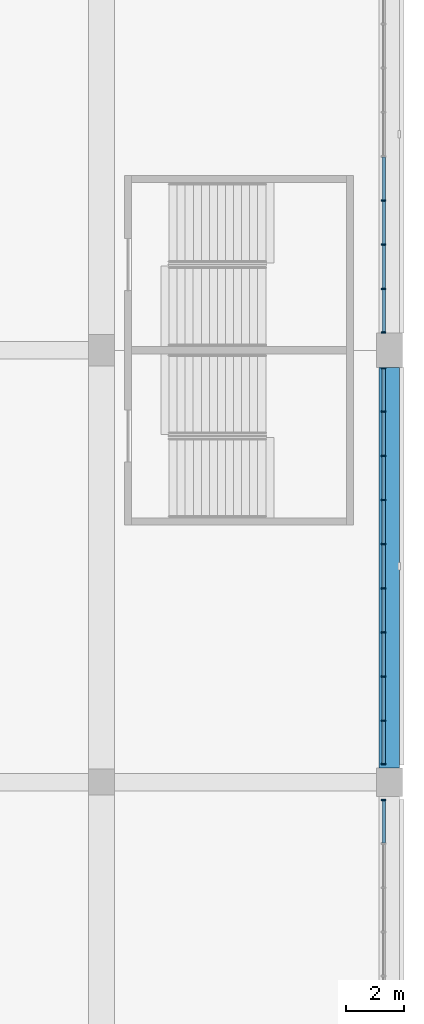
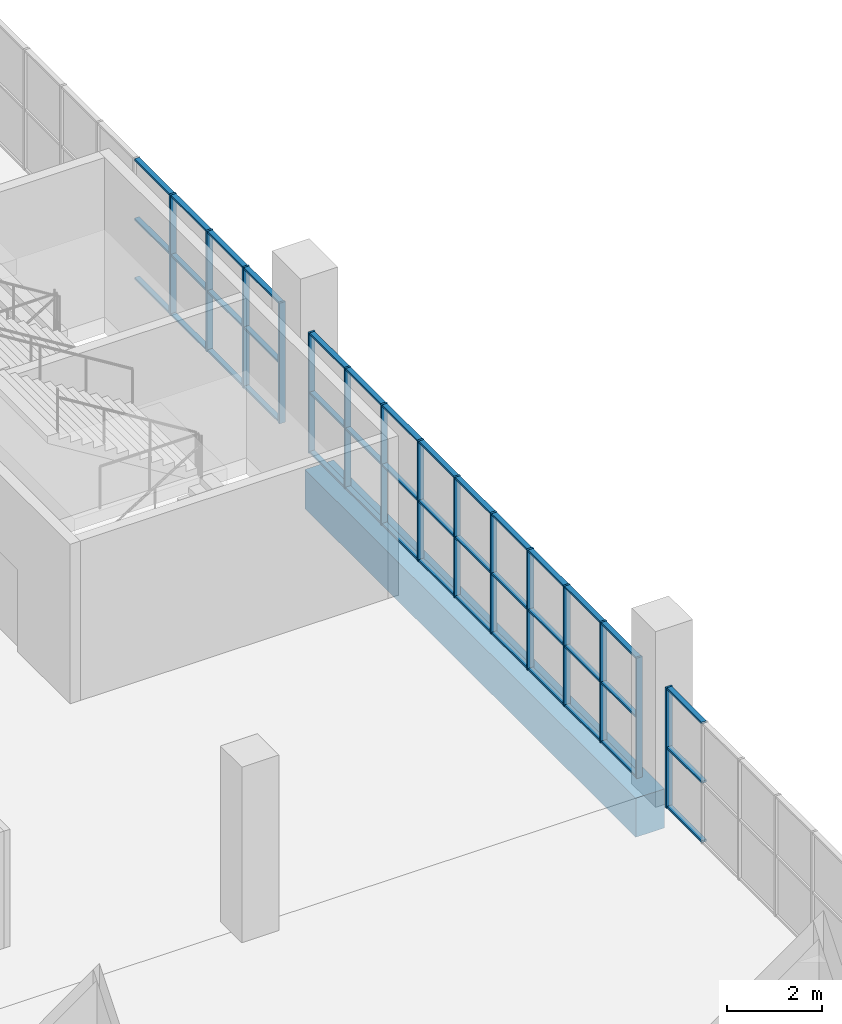
# One storey, part 29 of 199: 57 members, 1 beam, 3 elements without a shape of their own.
"""IFC4 building model written with IfcOpenShell, lengths in metres."""

from ifc_helpers import new_model, si_unit, direction, frame, origin, origin_2d, place, context, subcontext, project, spatial, rectangle, extrude, material, material_profile, profile_set, type_object, element, aggregate, save


model = new_model("IFC4")

# Units and contexts
model_context = context("Model", 3, precision=1e-05, world=origin(), true_north=direction((0.0, 1.0)))
body_context = subcontext(model_context, "Body", "Model", "MODEL_VIEW")
ifc_project = project(units=[si_unit("LENGTHUNIT", "METRE"), si_unit("AREAUNIT", "SQUARE_METRE"), si_unit("VOLUMEUNIT", "CUBIC_METRE"), si_unit("PLANEANGLEUNIT", "RADIAN"), si_unit("MASSUNIT", "GRAM", prefix="KILO")], contexts=[model_context])

# Site, building, storey
site_placement = place(None, origin())
site = spatial("IfcSite", under=ifc_project, at=site_placement, CompositionType="ELEMENT")
building_placement = place(site_placement, origin())
building = spatial("IfcBuilding", under=site, at=building_placement, Name="Ogive Plaza Stadium", CompositionType="ELEMENT")
storey_placement = place(building_placement, frame((0.0, 0.0, 9.0)))
storey = spatial("IfcBuildingStorey", under=building, at=storey_placement, Name="L02", CompositionType="ELEMENT", Elevation=9.0)

# Curtain wall, members
ifc_material_1 = material(Name="Bronze-anodised aluminium with laminated glass", Category="aluminium")
curtain_wall_type = type_object("IfcCurtainWallType", Name="Lancet curtain wall", PredefinedType="NOTDEFINED", material=ifc_material_1)
curtain_wall_1_placement = place(storey_placement, origin())
curtain_wall_1 = element("IfcCurtainWall", 1, at=curtain_wall_1_placement, inside=storey, type_object=curtain_wall_type, Name="CURTAIN WALL B05 L02", PredefinedType="NOTDEFINED")
ifc_material_2 = material(Name="Bronze-anodised aluminium", Category="aluminium")
ifc_material_profile_1 = material_profile(ifc_material_2, rectangle(XDim=0.14990234375, YDim=0.050048828125, at=origin_2d()), Name="AL 150x50")
ifc_profile_set_1 = profile_set([ifc_material_profile_1], Name="Bronze-anodised aluminium")
member_type_1 = type_object("IfcMemberType", Name="Curtain wall mullion 50x150", PredefinedType="MULLION", material=ifc_profile_set_1)
member_1_placement = place(storey_placement, frame((83.800048828125, -17.300048828125, 0.0), z_axis=(0.0, 0.0, 1.0), x_axis=(1.0, 0.0, 0.0)))
member_1 = element("IfcMember", 2, at=member_1_placement, type_object=member_type_1, Name="CW-B05-L02 mullion 7", PredefinedType="MULLION", context=body_context, shape_type="SweptSolid", body=[
    extrude(rectangle(XDim=0.14990234375, YDim=0.050048828125, at=origin_2d()), origin(), (0.0, 0.0, 1.0), 3.090087890625),
])
member_2_placement = place(storey_placement, frame((83.800048828125, -18.833251953125, 0.0), z_axis=(0.0, 0.0, 1.0), x_axis=(1.0, 0.0, 0.0)))
member_2 = element("IfcMember", 3, at=member_2_placement, type_object=member_type_1, Name="CW-B05-L02 mullion 8", PredefinedType="MULLION", context=body_context, shape_type="SweptSolid", body=[
    extrude(rectangle(XDim=0.14990234375, YDim=0.050048828125, at=origin_2d()), origin(), (0.0, 0.0, 1.0), 3.090087890625),
])
member_3_placement = place(storey_placement, frame((83.800048828125, -20.36669921875, 0.0), z_axis=(0.0, 0.0, 1.0), x_axis=(1.0, 0.0, 0.0)))
member_3 = element("IfcMember", 4, at=member_3_placement, type_object=member_type_1, Name="CW-B05-L02 mullion 9", PredefinedType="MULLION", context=body_context, shape_type="SweptSolid", body=[
    extrude(rectangle(XDim=0.14990234375, YDim=0.050048828125, at=origin_2d()), origin(), (0.0, 0.0, 1.0), 3.090087890625),
])
member_4_placement = place(storey_placement, frame((83.800048828125, -21.875, 0.0), z_axis=(0.0, 0.0, 1.0), x_axis=(1.0, 0.0, 0.0)))
member_4 = element("IfcMember", 5, at=member_4_placement, type_object=member_type_1, Name="CW-B05-L02 mullion 10", PredefinedType="MULLION", context=body_context, shape_type="SweptSolid", body=[
    extrude(rectangle(XDim=0.14990234375, YDim=0.050048828125, at=origin_2d()), origin(), (0.0, 0.0, 1.0), 3.090087890625),
])

curtain_wall_2_placement = place(storey_placement, origin())
curtain_wall_2 = element("IfcCurtainWall", 6, at=curtain_wall_2_placement, inside=storey, type_object=curtain_wall_type, Name="CURTAIN WALL B06 L02", PredefinedType="NOTDEFINED")
member_5_placement = place(storey_placement, frame((83.800048828125, -23.125, 0.0), z_axis=(0.0, 0.0, 1.0), x_axis=(1.0, 0.0, 0.0)))
member_5 = element("IfcMember", 7, at=member_5_placement, type_object=member_type_1, Name="CW-B06-L02 mullion 1", PredefinedType="MULLION", context=body_context, shape_type="SweptSolid", body=[
    extrude(rectangle(XDim=0.14990234375, YDim=0.050048828125, at=origin_2d()), origin(), (0.0, 0.0, 1.0), 3.090087890625),
])
member_6_placement = place(storey_placement, frame((83.800048828125, -24.63330078125, 0.0), z_axis=(0.0, 0.0, 1.0), x_axis=(1.0, 0.0, 0.0)))
member_6 = element("IfcMember", 8, at=member_6_placement, type_object=member_type_1, Name="CW-B06-L02 mullion 2", PredefinedType="MULLION", context=body_context, shape_type="SweptSolid", body=[
    extrude(rectangle(XDim=0.14990234375, YDim=0.050048828125, at=origin_2d()), origin(), (0.0, 0.0, 1.0), 3.090087890625),
])
member_7_placement = place(storey_placement, frame((83.800048828125, -26.166748046875, 0.0), z_axis=(0.0, 0.0, 1.0), x_axis=(1.0, 0.0, 0.0)))
member_7 = element("IfcMember", 9, at=member_7_placement, type_object=member_type_1, Name="CW-B06-L02 mullion 3", PredefinedType="MULLION", context=body_context, shape_type="SweptSolid", body=[
    extrude(rectangle(XDim=0.14990234375, YDim=0.050048828125, at=origin_2d()), origin(), (0.0, 0.0, 1.0), 3.090087890625),
])
member_8_placement = place(storey_placement, frame((83.800048828125, -27.699951171875, 0.0), z_axis=(0.0, 0.0, 1.0), x_axis=(1.0, 0.0, 0.0)))
member_8 = element("IfcMember", 10, at=member_8_placement, type_object=member_type_1, Name="CW-B06-L02 mullion 4", PredefinedType="MULLION", context=body_context, shape_type="SweptSolid", body=[
    extrude(rectangle(XDim=0.14990234375, YDim=0.050048828125, at=origin_2d()), origin(), (0.0, 0.0, 1.0), 3.090087890625),
])
member_9_placement = place(storey_placement, frame((83.800048828125, -29.2333984375, 0.0), z_axis=(0.0, 0.0, 1.0), x_axis=(1.0, 0.0, 0.0)))
member_9 = element("IfcMember", 11, at=member_9_placement, type_object=member_type_1, Name="CW-B06-L02 mullion 5", PredefinedType="MULLION", context=body_context, shape_type="SweptSolid", body=[
    extrude(rectangle(XDim=0.14990234375, YDim=0.050048828125, at=origin_2d()), origin(), (0.0, 0.0, 1.0), 3.090087890625),
])
member_10_placement = place(storey_placement, frame((83.800048828125, -30.7666015625, 0.0), z_axis=(0.0, 0.0, 1.0), x_axis=(1.0, 0.0, 0.0)))
member_10 = element("IfcMember", 12, at=member_10_placement, type_object=member_type_1, Name="CW-B06-L02 mullion 6", PredefinedType="MULLION", context=body_context, shape_type="SweptSolid", body=[
    extrude(rectangle(XDim=0.14990234375, YDim=0.050048828125, at=origin_2d()), origin(), (0.0, 0.0, 1.0), 3.090087890625),
])
member_11_placement = place(storey_placement, frame((83.800048828125, -32.300048828125, 0.0), z_axis=(0.0, 0.0, 1.0), x_axis=(1.0, 0.0, 0.0)))
member_11 = element("IfcMember", 13, at=member_11_placement, type_object=member_type_1, Name="CW-B06-L02 mullion 7", PredefinedType="MULLION", context=body_context, shape_type="SweptSolid", body=[
    extrude(rectangle(XDim=0.14990234375, YDim=0.050048828125, at=origin_2d()), origin(), (0.0, 0.0, 1.0), 3.090087890625),
])
member_12_placement = place(storey_placement, frame((83.800048828125, -33.833251953125, 0.0), z_axis=(0.0, 0.0, 1.0), x_axis=(1.0, 0.0, 0.0)))
member_12 = element("IfcMember", 14, at=member_12_placement, type_object=member_type_1, Name="CW-B06-L02 mullion 8", PredefinedType="MULLION", context=body_context, shape_type="SweptSolid", body=[
    extrude(rectangle(XDim=0.14990234375, YDim=0.050048828125, at=origin_2d()), origin(), (0.0, 0.0, 1.0), 3.090087890625),
])
member_13_placement = place(storey_placement, frame((83.800048828125, -35.36669921875, 0.0), z_axis=(0.0, 0.0, 1.0), x_axis=(1.0, 0.0, 0.0)))
member_13 = element("IfcMember", 15, at=member_13_placement, type_object=member_type_1, Name="CW-B06-L02 mullion 9", PredefinedType="MULLION", context=body_context, shape_type="SweptSolid", body=[
    extrude(rectangle(XDim=0.14990234375, YDim=0.050048828125, at=origin_2d()), origin(), (0.0, 0.0, 1.0), 3.090087890625),
])
member_14_placement = place(storey_placement, frame((83.800048828125, -36.875, 0.0), z_axis=(0.0, 0.0, 1.0), x_axis=(1.0, 0.0, 0.0)))
member_14 = element("IfcMember", 16, at=member_14_placement, type_object=member_type_1, Name="CW-B06-L02 mullion 10", PredefinedType="MULLION", context=body_context, shape_type="SweptSolid", body=[
    extrude(rectangle(XDim=0.14990234375, YDim=0.050048828125, at=origin_2d()), origin(), (0.0, 0.0, 1.0), 3.090087890625),
])

# Curtain wall, member
curtain_wall_3_placement = place(storey_placement, origin())
curtain_wall_3 = element("IfcCurtainWall", 17, at=curtain_wall_3_placement, inside=storey, type_object=curtain_wall_type, Name="CURTAIN WALL B07 L02", PredefinedType="NOTDEFINED")
member_15_placement = place(storey_placement, frame((83.800048828125, -38.125, 0.0), z_axis=(0.0, 0.0, 1.0), x_axis=(1.0, 0.0, 0.0)))
member_15 = element("IfcMember", 18, at=member_15_placement, type_object=member_type_1, Name="CW-B07-L02 mullion 1", PredefinedType="MULLION", context=body_context, shape_type="SweptSolid", body=[
    extrude(rectangle(XDim=0.14990234375, YDim=0.050048828125, at=origin_2d()), origin(), (0.0, 0.0, 1.0), 3.090087890625),
])

# Member
ifc_material_3 = material(Name="Bronze-anodised aluminium", Category="aluminium")
ifc_material_profile_2 = material_profile(ifc_material_3, rectangle(XDim=0.1201171875, YDim=0.050048828125, at=origin_2d()), Name="AL 120x50")
ifc_profile_set_2 = profile_set([ifc_material_profile_2], Name="Bronze-anodised aluminium")
member_type_2 = type_object("IfcMemberType", Name="Curtain wall transom 50x120", PredefinedType="USERDEFINED", material=ifc_profile_set_2)
member_16_placement = place(storey_placement, frame((83.800048828125, -15.791748046875, 0.02490234375), z_axis=(0.0, -1.0, 0.0), x_axis=(1.0, 0.0, 0.0)))
member_16 = element("IfcMember", 19, at=member_16_placement, type_object=member_type_2, Name="CW-B05-L02 transom 6.1", ObjectType="TRANSOM", PredefinedType="USERDEFINED", context=body_context, shape_type="SweptSolid", body=[
    extrude(rectangle(XDim=0.1201171875, YDim=0.050048828125, at=origin_2d()), origin(), (0.0, 0.0, 1.0), 1.483154296875),
])

member_17_placement = place(storey_placement, frame((83.800048828125, -15.791748046875, 1.544921875), z_axis=(0.0, -1.0, 0.0), x_axis=(1.0, 0.0, 0.0)))
member_17 = element("IfcMember", 20, at=member_17_placement, type_object=member_type_2, Name="CW-B05-L02 transom 6.2", ObjectType="TRANSOM", PredefinedType="USERDEFINED", context=body_context, shape_type="SweptSolid", body=[
    extrude(rectangle(XDim=0.1201171875, YDim=0.050048828125, at=origin_2d()), origin(), (0.0, 0.0, 1.0), 1.483154296875),
])

member_18_placement = place(storey_placement, frame((83.800048828125, -15.791748046875, 3.06494140625), z_axis=(0.0, -1.0, 0.0), x_axis=(1.0, 0.0, 0.0)))
member_18 = element("IfcMember", 21, at=member_18_placement, type_object=member_type_2, Name="CW-B05-L02 transom 6.3", ObjectType="TRANSOM", PredefinedType="USERDEFINED", context=body_context, shape_type="SweptSolid", body=[
    extrude(rectangle(XDim=0.1201171875, YDim=0.050048828125, at=origin_2d()), origin(), (0.0, 0.0, 1.0), 1.483154296875),
])

member_19_placement = place(storey_placement, frame((83.800048828125, -17.324951171875, 0.02490234375), z_axis=(0.0, -1.0, 0.0), x_axis=(1.0, 0.0, 0.0)))
member_19 = element("IfcMember", 22, at=member_19_placement, type_object=member_type_2, Name="CW-B05-L02 transom 7.1", ObjectType="TRANSOM", PredefinedType="USERDEFINED", context=body_context, shape_type="SweptSolid", body=[
    extrude(rectangle(XDim=0.1201171875, YDim=0.050048828125, at=origin_2d()), origin(), (0.0, 0.0, 1.0), 1.4833984375),
])

member_20_placement = place(storey_placement, frame((83.800048828125, -17.324951171875, 1.544921875), z_axis=(0.0, -1.0, 0.0), x_axis=(1.0, 0.0, 0.0)))
member_20 = element("IfcMember", 23, at=member_20_placement, type_object=member_type_2, Name="CW-B05-L02 transom 7.2", ObjectType="TRANSOM", PredefinedType="USERDEFINED", context=body_context, shape_type="SweptSolid", body=[
    extrude(rectangle(XDim=0.1201171875, YDim=0.050048828125, at=origin_2d()), origin(), (0.0, 0.0, 1.0), 1.4833984375),
])

member_21_placement = place(storey_placement, frame((83.800048828125, -17.324951171875, 3.06494140625), z_axis=(0.0, -1.0, 0.0), x_axis=(1.0, 0.0, 0.0)))
member_21 = element("IfcMember", 24, at=member_21_placement, type_object=member_type_2, Name="CW-B05-L02 transom 7.3", ObjectType="TRANSOM", PredefinedType="USERDEFINED", context=body_context, shape_type="SweptSolid", body=[
    extrude(rectangle(XDim=0.1201171875, YDim=0.050048828125, at=origin_2d()), origin(), (0.0, 0.0, 1.0), 1.4833984375),
])

member_22_placement = place(storey_placement, frame((83.800048828125, -18.8583984375, 0.02490234375), z_axis=(0.0, -1.0, 0.0), x_axis=(1.0, 0.0, 0.0)))
member_22 = element("IfcMember", 25, at=member_22_placement, type_object=member_type_2, Name="CW-B05-L02 transom 8.1", ObjectType="TRANSOM", PredefinedType="USERDEFINED", context=body_context, shape_type="SweptSolid", body=[
    extrude(rectangle(XDim=0.1201171875, YDim=0.050048828125, at=origin_2d()), origin(), (0.0, 0.0, 1.0), 1.483154296875),
])

member_23_placement = place(storey_placement, frame((83.800048828125, -18.8583984375, 1.544921875), z_axis=(0.0, -1.0, 0.0), x_axis=(1.0, 0.0, 0.0)))
member_23 = element("IfcMember", 26, at=member_23_placement, type_object=member_type_2, Name="CW-B05-L02 transom 8.2", ObjectType="TRANSOM", PredefinedType="USERDEFINED", context=body_context, shape_type="SweptSolid", body=[
    extrude(rectangle(XDim=0.1201171875, YDim=0.050048828125, at=origin_2d()), origin(), (0.0, 0.0, 1.0), 1.483154296875),
])

member_24_placement = place(storey_placement, frame((83.800048828125, -18.8583984375, 3.06494140625), z_axis=(0.0, -1.0, 0.0), x_axis=(1.0, 0.0, 0.0)))
member_24 = element("IfcMember", 27, at=member_24_placement, type_object=member_type_2, Name="CW-B05-L02 transom 8.3", ObjectType="TRANSOM", PredefinedType="USERDEFINED", context=body_context, shape_type="SweptSolid", body=[
    extrude(rectangle(XDim=0.1201171875, YDim=0.050048828125, at=origin_2d()), origin(), (0.0, 0.0, 1.0), 1.483154296875),
])

member_25_placement = place(storey_placement, frame((83.800048828125, -20.3916015625, 0.02490234375), z_axis=(0.0, -1.0, 0.0), x_axis=(1.0, 0.0, 0.0)))
member_25 = element("IfcMember", 28, at=member_25_placement, type_object=member_type_2, Name="CW-B05-L02 transom 9.1", ObjectType="TRANSOM", PredefinedType="USERDEFINED", context=body_context, shape_type="SweptSolid", body=[
    extrude(rectangle(XDim=0.1201171875, YDim=0.050048828125, at=origin_2d()), origin(), (0.0, 0.0, 1.0), 1.45849609375),
])

member_26_placement = place(storey_placement, frame((83.800048828125, -20.3916015625, 1.544921875), z_axis=(0.0, -1.0, 0.0), x_axis=(1.0, 0.0, 0.0)))
member_26 = element("IfcMember", 29, at=member_26_placement, type_object=member_type_2, Name="CW-B05-L02 transom 9.2", ObjectType="TRANSOM", PredefinedType="USERDEFINED", context=body_context, shape_type="SweptSolid", body=[
    extrude(rectangle(XDim=0.1201171875, YDim=0.050048828125, at=origin_2d()), origin(), (0.0, 0.0, 1.0), 1.45849609375),
])

member_27_placement = place(storey_placement, frame((83.800048828125, -20.3916015625, 3.06494140625), z_axis=(0.0, -1.0, 0.0), x_axis=(1.0, 0.0, 0.0)))
member_27 = element("IfcMember", 30, at=member_27_placement, type_object=member_type_2, Name="CW-B05-L02 transom 9.3", ObjectType="TRANSOM", PredefinedType="USERDEFINED", context=body_context, shape_type="SweptSolid", body=[
    extrude(rectangle(XDim=0.1201171875, YDim=0.050048828125, at=origin_2d()), origin(), (0.0, 0.0, 1.0), 1.45849609375),
])

aggregate(curtain_wall_1, [member_1, member_2, member_3, member_4, member_16, member_17, member_18, member_19, member_20, member_21, member_22, member_23, member_24, member_25, member_26, member_27])

member_28_placement = place(storey_placement, frame((83.800048828125, -23.14990234375, 0.02490234375), z_axis=(0.0, -1.0, 0.0), x_axis=(1.0, 0.0, 0.0)))
member_28 = element("IfcMember", 31, at=member_28_placement, type_object=member_type_2, Name="CW-B06-L02 transom 1.1", ObjectType="TRANSOM", PredefinedType="USERDEFINED", context=body_context, shape_type="SweptSolid", body=[
    extrude(rectangle(XDim=0.1201171875, YDim=0.050048828125, at=origin_2d()), origin(), (0.0, 0.0, 1.0), 1.45849609375),
])

member_29_placement = place(storey_placement, frame((83.800048828125, -23.14990234375, 1.544921875), z_axis=(0.0, -1.0, 0.0), x_axis=(1.0, 0.0, 0.0)))
member_29 = element("IfcMember", 32, at=member_29_placement, type_object=member_type_2, Name="CW-B06-L02 transom 1.2", ObjectType="TRANSOM", PredefinedType="USERDEFINED", context=body_context, shape_type="SweptSolid", body=[
    extrude(rectangle(XDim=0.1201171875, YDim=0.050048828125, at=origin_2d()), origin(), (0.0, 0.0, 1.0), 1.45849609375),
])

member_30_placement = place(storey_placement, frame((83.800048828125, -23.14990234375, 3.06494140625), z_axis=(0.0, -1.0, 0.0), x_axis=(1.0, 0.0, 0.0)))
member_30 = element("IfcMember", 33, at=member_30_placement, type_object=member_type_2, Name="CW-B06-L02 transom 1.3", ObjectType="TRANSOM", PredefinedType="USERDEFINED", context=body_context, shape_type="SweptSolid", body=[
    extrude(rectangle(XDim=0.1201171875, YDim=0.050048828125, at=origin_2d()), origin(), (0.0, 0.0, 1.0), 1.45849609375),
])

member_31_placement = place(storey_placement, frame((83.800048828125, -24.658447265625, 0.02490234375), z_axis=(0.0, -1.0, 0.0), x_axis=(1.0, 0.0, 0.0)))
member_31 = element("IfcMember", 34, at=member_31_placement, type_object=member_type_2, Name="CW-B06-L02 transom 2.1", ObjectType="TRANSOM", PredefinedType="USERDEFINED", context=body_context, shape_type="SweptSolid", body=[
    extrude(rectangle(XDim=0.1201171875, YDim=0.050048828125, at=origin_2d()), origin(), (0.0, 0.0, 1.0), 1.483154296875),
])

member_32_placement = place(storey_placement, frame((83.800048828125, -24.658447265625, 1.544921875), z_axis=(0.0, -1.0, 0.0), x_axis=(1.0, 0.0, 0.0)))
member_32 = element("IfcMember", 35, at=member_32_placement, type_object=member_type_2, Name="CW-B06-L02 transom 2.2", ObjectType="TRANSOM", PredefinedType="USERDEFINED", context=body_context, shape_type="SweptSolid", body=[
    extrude(rectangle(XDim=0.1201171875, YDim=0.050048828125, at=origin_2d()), origin(), (0.0, 0.0, 1.0), 1.483154296875),
])

member_33_placement = place(storey_placement, frame((83.800048828125, -24.658447265625, 3.06494140625), z_axis=(0.0, -1.0, 0.0), x_axis=(1.0, 0.0, 0.0)))
member_33 = element("IfcMember", 36, at=member_33_placement, type_object=member_type_2, Name="CW-B06-L02 transom 2.3", ObjectType="TRANSOM", PredefinedType="USERDEFINED", context=body_context, shape_type="SweptSolid", body=[
    extrude(rectangle(XDim=0.1201171875, YDim=0.050048828125, at=origin_2d()), origin(), (0.0, 0.0, 1.0), 1.483154296875),
])

member_34_placement = place(storey_placement, frame((83.800048828125, -26.191650390625, 0.02490234375), z_axis=(0.0, -1.0, 0.0), x_axis=(1.0, 0.0, 0.0)))
member_34 = element("IfcMember", 37, at=member_34_placement, type_object=member_type_2, Name="CW-B06-L02 transom 3.1", ObjectType="TRANSOM", PredefinedType="USERDEFINED", context=body_context, shape_type="SweptSolid", body=[
    extrude(rectangle(XDim=0.1201171875, YDim=0.050048828125, at=origin_2d()), origin(), (0.0, 0.0, 1.0), 1.4833984375),
])

member_35_placement = place(storey_placement, frame((83.800048828125, -26.191650390625, 1.544921875), z_axis=(0.0, -1.0, 0.0), x_axis=(1.0, 0.0, 0.0)))
member_35 = element("IfcMember", 38, at=member_35_placement, type_object=member_type_2, Name="CW-B06-L02 transom 3.2", ObjectType="TRANSOM", PredefinedType="USERDEFINED", context=body_context, shape_type="SweptSolid", body=[
    extrude(rectangle(XDim=0.1201171875, YDim=0.050048828125, at=origin_2d()), origin(), (0.0, 0.0, 1.0), 1.4833984375),
])

member_36_placement = place(storey_placement, frame((83.800048828125, -26.191650390625, 3.06494140625), z_axis=(0.0, -1.0, 0.0), x_axis=(1.0, 0.0, 0.0)))
member_36 = element("IfcMember", 39, at=member_36_placement, type_object=member_type_2, Name="CW-B06-L02 transom 3.3", ObjectType="TRANSOM", PredefinedType="USERDEFINED", context=body_context, shape_type="SweptSolid", body=[
    extrude(rectangle(XDim=0.1201171875, YDim=0.050048828125, at=origin_2d()), origin(), (0.0, 0.0, 1.0), 1.4833984375),
])

member_37_placement = place(storey_placement, frame((83.800048828125, -27.72509765625, 0.02490234375), z_axis=(0.0, -1.0, 0.0), x_axis=(1.0, 0.0, 0.0)))
member_37 = element("IfcMember", 40, at=member_37_placement, type_object=member_type_2, Name="CW-B06-L02 transom 4.1", ObjectType="TRANSOM", PredefinedType="USERDEFINED", context=body_context, shape_type="SweptSolid", body=[
    extrude(rectangle(XDim=0.1201171875, YDim=0.050048828125, at=origin_2d()), origin(), (0.0, 0.0, 1.0), 1.483154296875),
])

member_38_placement = place(storey_placement, frame((83.800048828125, -27.72509765625, 1.544921875), z_axis=(0.0, -1.0, 0.0), x_axis=(1.0, 0.0, 0.0)))
member_38 = element("IfcMember", 41, at=member_38_placement, type_object=member_type_2, Name="CW-B06-L02 transom 4.2", ObjectType="TRANSOM", PredefinedType="USERDEFINED", context=body_context, shape_type="SweptSolid", body=[
    extrude(rectangle(XDim=0.1201171875, YDim=0.050048828125, at=origin_2d()), origin(), (0.0, 0.0, 1.0), 1.483154296875),
])

member_39_placement = place(storey_placement, frame((83.800048828125, -27.72509765625, 3.06494140625), z_axis=(0.0, -1.0, 0.0), x_axis=(1.0, 0.0, 0.0)))
member_39 = element("IfcMember", 42, at=member_39_placement, type_object=member_type_2, Name="CW-B06-L02 transom 4.3", ObjectType="TRANSOM", PredefinedType="USERDEFINED", context=body_context, shape_type="SweptSolid", body=[
    extrude(rectangle(XDim=0.1201171875, YDim=0.050048828125, at=origin_2d()), origin(), (0.0, 0.0, 1.0), 1.483154296875),
])

member_40_placement = place(storey_placement, frame((83.800048828125, -29.25830078125, 0.02490234375), z_axis=(0.0, -1.0, 0.0), x_axis=(1.0, 0.0, 0.0)))
member_40 = element("IfcMember", 43, at=member_40_placement, type_object=member_type_2, Name="CW-B06-L02 transom 5.1", ObjectType="TRANSOM", PredefinedType="USERDEFINED", context=body_context, shape_type="SweptSolid", body=[
    extrude(rectangle(XDim=0.1201171875, YDim=0.050048828125, at=origin_2d()), origin(), (0.0, 0.0, 1.0), 1.4833984375),
])

member_41_placement = place(storey_placement, frame((83.800048828125, -29.25830078125, 1.544921875), z_axis=(0.0, -1.0, 0.0), x_axis=(1.0, 0.0, 0.0)))
member_41 = element("IfcMember", 44, at=member_41_placement, type_object=member_type_2, Name="CW-B06-L02 transom 5.2", ObjectType="TRANSOM", PredefinedType="USERDEFINED", context=body_context, shape_type="SweptSolid", body=[
    extrude(rectangle(XDim=0.1201171875, YDim=0.050048828125, at=origin_2d()), origin(), (0.0, 0.0, 1.0), 1.4833984375),
])

member_42_placement = place(storey_placement, frame((83.800048828125, -29.25830078125, 3.06494140625), z_axis=(0.0, -1.0, 0.0), x_axis=(1.0, 0.0, 0.0)))
member_42 = element("IfcMember", 45, at=member_42_placement, type_object=member_type_2, Name="CW-B06-L02 transom 5.3", ObjectType="TRANSOM", PredefinedType="USERDEFINED", context=body_context, shape_type="SweptSolid", body=[
    extrude(rectangle(XDim=0.1201171875, YDim=0.050048828125, at=origin_2d()), origin(), (0.0, 0.0, 1.0), 1.4833984375),
])

member_43_placement = place(storey_placement, frame((83.800048828125, -30.791748046875, 0.02490234375), z_axis=(0.0, -1.0, 0.0), x_axis=(1.0, 0.0, 0.0)))
member_43 = element("IfcMember", 46, at=member_43_placement, type_object=member_type_2, Name="CW-B06-L02 transom 6.1", ObjectType="TRANSOM", PredefinedType="USERDEFINED", context=body_context, shape_type="SweptSolid", body=[
    extrude(rectangle(XDim=0.1201171875, YDim=0.050048828125, at=origin_2d()), origin(), (0.0, 0.0, 1.0), 1.483154296875),
])

member_44_placement = place(storey_placement, frame((83.800048828125, -30.791748046875, 1.544921875), z_axis=(0.0, -1.0, 0.0), x_axis=(1.0, 0.0, 0.0)))
member_44 = element("IfcMember", 47, at=member_44_placement, type_object=member_type_2, Name="CW-B06-L02 transom 6.2", ObjectType="TRANSOM", PredefinedType="USERDEFINED", context=body_context, shape_type="SweptSolid", body=[
    extrude(rectangle(XDim=0.1201171875, YDim=0.050048828125, at=origin_2d()), origin(), (0.0, 0.0, 1.0), 1.483154296875),
])

member_45_placement = place(storey_placement, frame((83.800048828125, -30.791748046875, 3.06494140625), z_axis=(0.0, -1.0, 0.0), x_axis=(1.0, 0.0, 0.0)))
member_45 = element("IfcMember", 48, at=member_45_placement, type_object=member_type_2, Name="CW-B06-L02 transom 6.3", ObjectType="TRANSOM", PredefinedType="USERDEFINED", context=body_context, shape_type="SweptSolid", body=[
    extrude(rectangle(XDim=0.1201171875, YDim=0.050048828125, at=origin_2d()), origin(), (0.0, 0.0, 1.0), 1.483154296875),
])

member_46_placement = place(storey_placement, frame((83.800048828125, -32.324951171875, 0.02490234375), z_axis=(0.0, -1.0, 0.0), x_axis=(1.0, 0.0, 0.0)))
member_46 = element("IfcMember", 49, at=member_46_placement, type_object=member_type_2, Name="CW-B06-L02 transom 7.1", ObjectType="TRANSOM", PredefinedType="USERDEFINED", context=body_context, shape_type="SweptSolid", body=[
    extrude(rectangle(XDim=0.1201171875, YDim=0.050048828125, at=origin_2d()), origin(), (0.0, 0.0, 1.0), 1.4833984375),
])

member_47_placement = place(storey_placement, frame((83.800048828125, -32.324951171875, 1.544921875), z_axis=(0.0, -1.0, 0.0), x_axis=(1.0, 0.0, 0.0)))
member_47 = element("IfcMember", 50, at=member_47_placement, type_object=member_type_2, Name="CW-B06-L02 transom 7.2", ObjectType="TRANSOM", PredefinedType="USERDEFINED", context=body_context, shape_type="SweptSolid", body=[
    extrude(rectangle(XDim=0.1201171875, YDim=0.050048828125, at=origin_2d()), origin(), (0.0, 0.0, 1.0), 1.4833984375),
])

member_48_placement = place(storey_placement, frame((83.800048828125, -32.324951171875, 3.06494140625), z_axis=(0.0, -1.0, 0.0), x_axis=(1.0, 0.0, 0.0)))
member_48 = element("IfcMember", 51, at=member_48_placement, type_object=member_type_2, Name="CW-B06-L02 transom 7.3", ObjectType="TRANSOM", PredefinedType="USERDEFINED", context=body_context, shape_type="SweptSolid", body=[
    extrude(rectangle(XDim=0.1201171875, YDim=0.050048828125, at=origin_2d()), origin(), (0.0, 0.0, 1.0), 1.4833984375),
])

member_49_placement = place(storey_placement, frame((83.800048828125, -33.8583984375, 0.02490234375), z_axis=(0.0, -1.0, 0.0), x_axis=(1.0, 0.0, 0.0)))
member_49 = element("IfcMember", 52, at=member_49_placement, type_object=member_type_2, Name="CW-B06-L02 transom 8.1", ObjectType="TRANSOM", PredefinedType="USERDEFINED", context=body_context, shape_type="SweptSolid", body=[
    extrude(rectangle(XDim=0.1201171875, YDim=0.050048828125, at=origin_2d()), origin(), (0.0, 0.0, 1.0), 1.483154296875),
])

member_50_placement = place(storey_placement, frame((83.800048828125, -33.8583984375, 1.544921875), z_axis=(0.0, -1.0, 0.0), x_axis=(1.0, 0.0, 0.0)))
member_50 = element("IfcMember", 53, at=member_50_placement, type_object=member_type_2, Name="CW-B06-L02 transom 8.2", ObjectType="TRANSOM", PredefinedType="USERDEFINED", context=body_context, shape_type="SweptSolid", body=[
    extrude(rectangle(XDim=0.1201171875, YDim=0.050048828125, at=origin_2d()), origin(), (0.0, 0.0, 1.0), 1.483154296875),
])

member_51_placement = place(storey_placement, frame((83.800048828125, -33.8583984375, 3.06494140625), z_axis=(0.0, -1.0, 0.0), x_axis=(1.0, 0.0, 0.0)))
member_51 = element("IfcMember", 54, at=member_51_placement, type_object=member_type_2, Name="CW-B06-L02 transom 8.3", ObjectType="TRANSOM", PredefinedType="USERDEFINED", context=body_context, shape_type="SweptSolid", body=[
    extrude(rectangle(XDim=0.1201171875, YDim=0.050048828125, at=origin_2d()), origin(), (0.0, 0.0, 1.0), 1.483154296875),
])

member_52_placement = place(storey_placement, frame((83.800048828125, -35.3916015625, 0.02490234375), z_axis=(0.0, -1.0, 0.0), x_axis=(1.0, 0.0, 0.0)))
member_52 = element("IfcMember", 55, at=member_52_placement, type_object=member_type_2, Name="CW-B06-L02 transom 9.1", ObjectType="TRANSOM", PredefinedType="USERDEFINED", context=body_context, shape_type="SweptSolid", body=[
    extrude(rectangle(XDim=0.1201171875, YDim=0.050048828125, at=origin_2d()), origin(), (0.0, 0.0, 1.0), 1.45849609375),
])

member_53_placement = place(storey_placement, frame((83.800048828125, -35.3916015625, 1.544921875), z_axis=(0.0, -1.0, 0.0), x_axis=(1.0, 0.0, 0.0)))
member_53 = element("IfcMember", 56, at=member_53_placement, type_object=member_type_2, Name="CW-B06-L02 transom 9.2", ObjectType="TRANSOM", PredefinedType="USERDEFINED", context=body_context, shape_type="SweptSolid", body=[
    extrude(rectangle(XDim=0.1201171875, YDim=0.050048828125, at=origin_2d()), origin(), (0.0, 0.0, 1.0), 1.45849609375),
])

member_54_placement = place(storey_placement, frame((83.800048828125, -35.3916015625, 3.06494140625), z_axis=(0.0, -1.0, 0.0), x_axis=(1.0, 0.0, 0.0)))
member_54 = element("IfcMember", 57, at=member_54_placement, type_object=member_type_2, Name="CW-B06-L02 transom 9.3", ObjectType="TRANSOM", PredefinedType="USERDEFINED", context=body_context, shape_type="SweptSolid", body=[
    extrude(rectangle(XDim=0.1201171875, YDim=0.050048828125, at=origin_2d()), origin(), (0.0, 0.0, 1.0), 1.45849609375),
])

aggregate(curtain_wall_2, [member_5, member_6, member_7, member_8, member_9, member_10, member_11, member_12, member_13, member_14, member_28, member_29, member_30, member_31, member_32, member_33, member_34, member_35, member_36, member_37, member_38, member_39, member_40, member_41, member_42, member_43, member_44, member_45, member_46, member_47, member_48, member_49, member_50, member_51, member_52, member_53, member_54])

member_55_placement = place(storey_placement, frame((83.800048828125, -38.14990234375, 0.02490234375), z_axis=(0.0, -1.0, 0.0), x_axis=(1.0, 0.0, 0.0)))
member_55 = element("IfcMember", 58, at=member_55_placement, type_object=member_type_2, Name="CW-B07-L02 transom 1.1", ObjectType="TRANSOM", PredefinedType="USERDEFINED", context=body_context, shape_type="SweptSolid", body=[
    extrude(rectangle(XDim=0.1201171875, YDim=0.050048828125, at=origin_2d()), origin(), (0.0, 0.0, 1.0), 1.45849609375),
])

member_56_placement = place(storey_placement, frame((83.800048828125, -38.14990234375, 1.544921875), z_axis=(0.0, -1.0, 0.0), x_axis=(1.0, 0.0, 0.0)))
member_56 = element("IfcMember", 59, at=member_56_placement, type_object=member_type_2, Name="CW-B07-L02 transom 1.2", ObjectType="TRANSOM", PredefinedType="USERDEFINED", context=body_context, shape_type="SweptSolid", body=[
    extrude(rectangle(XDim=0.1201171875, YDim=0.050048828125, at=origin_2d()), origin(), (0.0, 0.0, 1.0), 1.45849609375),
])

member_57_placement = place(storey_placement, frame((83.800048828125, -38.14990234375, 3.06494140625), z_axis=(0.0, -1.0, 0.0), x_axis=(1.0, 0.0, 0.0)))
member_57 = element("IfcMember", 60, at=member_57_placement, type_object=member_type_2, Name="CW-B07-L02 transom 1.3", ObjectType="TRANSOM", PredefinedType="USERDEFINED", context=body_context, shape_type="SweptSolid", body=[
    extrude(rectangle(XDim=0.1201171875, YDim=0.050048828125, at=origin_2d()), origin(), (0.0, 0.0, 1.0), 1.45849609375),
])

aggregate(curtain_wall_3, [member_15, member_55, member_56, member_57])

# Beam
ifc_material_4 = material(Name="Concrete C40/50", Category="concrete")
ifc_material_profile_3 = material_profile(ifc_material_4, rectangle(XDim=0.699951171875, YDim=1.0, at=origin_2d()), Name="RC 700x1000")
ifc_profile_set_3 = profile_set([ifc_material_profile_3], Name="Concrete C40/50")
beam_type = type_object("IfcBeamType", Name="RC spandrel beam 700x1000", PredefinedType="SPANDREL", material=ifc_profile_set_3)
beam_placement = place(storey_placement, frame((84.0, -23.10009765625, -0.909912109375), z_axis=(0.0, -1.0, 0.0), x_axis=(1.0, 0.0, 0.0)))
element("IfcBeam", 61, at=beam_placement, inside=storey, type_object=beam_type, Name="Ring beam F5 L02 B06", PredefinedType="SPANDREL", context=body_context, shape_type="SweptSolid", body=[
    extrude(rectangle(XDim=0.699951171875, YDim=1.0, at=origin_2d()), origin(), (0.0, 0.0, 1.0), 13.89990234375),
])

save(model, "model.ifc")
